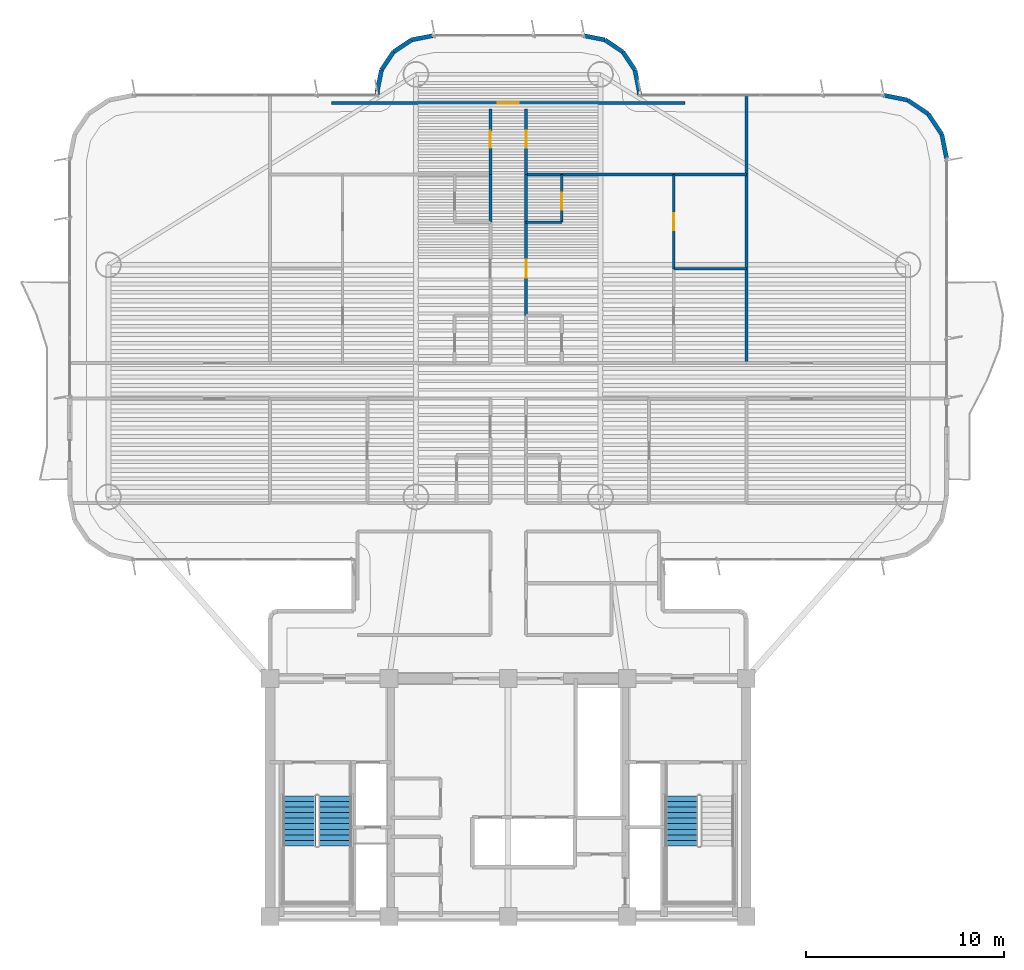
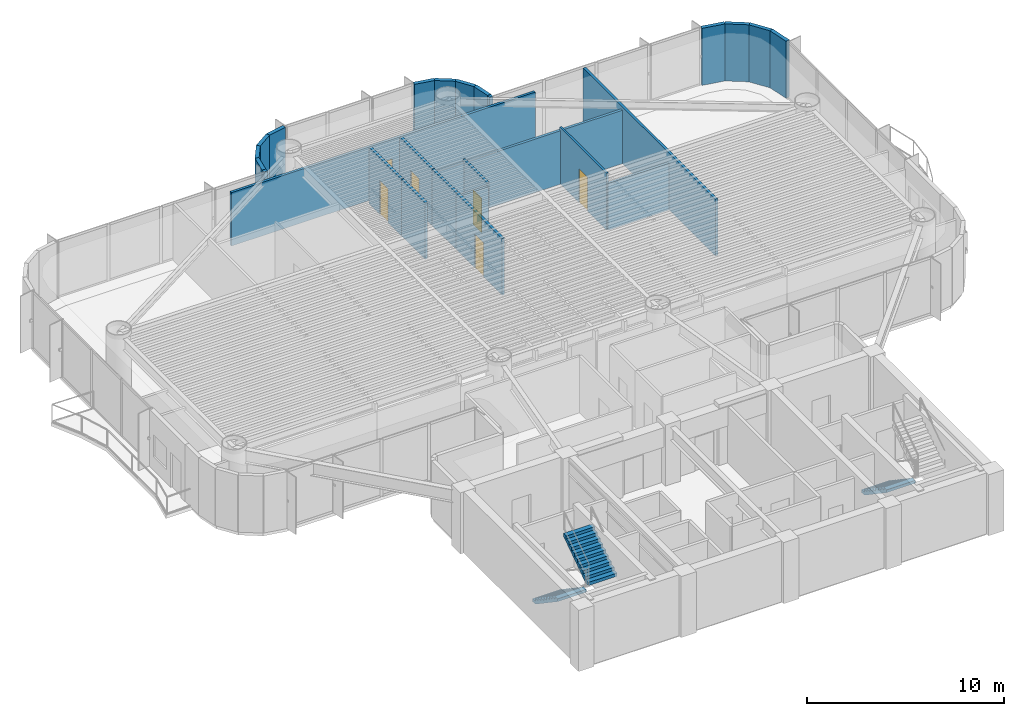
# One storey, part 12 of 17: 26 walls, 6 doors, 3 stair flights, 6 openings, 2 elements without a shape of their own.
"""IFC4 building model written with IfcOpenShell, lengths in metres."""

from ifc_helpers import new_model, si_unit, direction, frame, frame_2d, origin, origin_2d, place, context, subcontext, project, spatial, polyline, rectangle, outline, extrude, source, transform, mapped, material, layer, layer_set, type_object, element, fill, aggregate, save


model = new_model("IFC4")

# Units and contexts
model_context = context("Model", 3, precision=1e-05, world=origin(), true_north=direction((0.0, 1.0)))
body_context = subcontext(model_context, "Body", "Model", "MODEL_VIEW")
ifc_project = project(units=[si_unit("LENGTHUNIT", "METRE"), si_unit("AREAUNIT", "SQUARE_METRE"), si_unit("VOLUMEUNIT", "CUBIC_METRE"), si_unit("PLANEANGLEUNIT", "RADIAN"), si_unit("MASSUNIT", "GRAM", prefix="KILO")], contexts=[model_context])

# Site, building, storey
site_placement = place(None, origin())
site = spatial("IfcSite", under=ifc_project, at=site_placement, CompositionType="ELEMENT")
building_placement = place(site_placement, origin())
building = spatial("IfcBuilding", under=site, at=building_placement, Name="Brelvock Crest Care Tower", CompositionType="ELEMENT")
storey_placement = place(building_placement, frame((0.0, 0.0, 93.60009765625)))
storey = spatial("IfcBuildingStorey", under=building, at=storey_placement, Name="L23", CompositionType="ELEMENT", Elevation=93.60009765625)

# Walls
ifc_material_1 = material(Name="Precast concrete N40 (40 MPa)", Category="concrete")
ifc_layer_1 = layer(ifc_material_1, 0.215087890625, Name="WL-EX2")
ifc_layer_set_1 = layer_set([ifc_layer_1], Name="Precast concrete N40 (40 MPa)")
wall_type_1 = type_object("IfcWallType", Name="WL-EX2", PredefinedType="SOLIDWALL", material=ifc_layer_set_1)
wall_1_placement = place(storey_placement, frame((29.39990234375, 47.39990234375, 0.0), z_axis=(0.0, 0.0, 1.0), x_axis=(0.0, 1.0, 0.0)))
element("IfcWall", 1, at=wall_1_placement, inside=storey, type_object=wall_type_1, Name="L23 Rounded Corner Wall 23", PredefinedType="SOLIDWALL", context=body_context, shape_type="SweptSolid", body=[
    extrude(rectangle(XDim=0.2001953125, YDim=0.215087890625, at=frame_2d((0.10009765625, 0.0))), origin(), (0.0, 0.0, 1.0), 3.52978515625),
])
wall_2_placement = place(storey_placement, frame((29.39990234375, 47.60009765625, 0.0), z_axis=(0.0, 0.0, 1.0), x_axis=(0.195127417394, 0.980777900945, 0.0)))
element("IfcWall", 2, at=wall_2_placement, inside=storey, type_object=wall_type_1, Name="L23 Rounded Corner Wall 24", PredefinedType="SOLIDWALL", context=body_context, shape_type="SweptSolid", body=[
    extrude(rectangle(XDim=1.09228515625, YDim=0.215087890625, at=frame_2d((0.546142578125, 0.0))), origin(), (0.0, 0.0, 1.0), 3.52978515625),
])
wall_3_placement = place(storey_placement, frame((29.613037109375, 48.67138671875, 0.0), z_axis=(0.0, 0.0, 1.0), x_axis=(0.555679482341, 0.831396603857, 0.0)))
element("IfcWall", 3, at=wall_3_placement, inside=storey, type_object=wall_type_1, Name="L23 Rounded Corner Wall 25", PredefinedType="SOLIDWALL", context=body_context, shape_type="SweptSolid", body=[
    extrude(rectangle(XDim=1.0927734375, YDim=0.215087890625, at=frame_2d((0.54638671875, 0.0))), origin(), (0.0, 0.0, 1.0), 3.52978515625),
])
for number, where, z_axis, x_axis, name in (
    (4, (30.22021484375, 49.579833984375, 0.0), (0.0, 0.0, 1.0), (0.831327592857, 0.555782721353, 0.0), "L23 Rounded Corner Wall 26"),
    (5, (31.12841796875, 50.18701171875, 0.0), (0.0, 0.0, 1.0), (0.980829143587, 0.194869677195, 0.0), "L23 Rounded Corner Wall 27"),
    (6, (39.800048828125, 50.39990234375, 0.0), (0.0, 0.0, 1.0), (0.980829143587, -0.194869677195, 0.0), "L23 Rounded Corner Wall 29"),
    (7, (40.87158203125, 50.18701171875, 0.0), (0.0, 0.0, 1.0), (0.831327592857, -0.555782721353, 0.0), "L23 Rounded Corner Wall 30"),
):
    element("IfcWall", number, at=place(storey_placement, frame(where, z_axis=z_axis, x_axis=x_axis)), inside=storey, type_object=wall_type_1, Name=name, PredefinedType="SOLIDWALL", context=body_context, shape_type="SweptSolid", body=[
        extrude(rectangle(XDim=1.092529296875, YDim=0.215087890625, at=frame_2d((0.54638671875, 0.0))), origin(), (0.0, 0.0, 1.0), 3.52978515625),
    ])
wall_4_placement = place(storey_placement, frame((41.77978515625, 49.579833984375, 0.0), z_axis=(0.0, 0.0, 1.0), x_axis=(0.555679482341, -0.831396603857, 0.0)))
element("IfcWall", 8, at=wall_4_placement, inside=storey, type_object=wall_type_1, Name="L23 Rounded Corner Wall 31", PredefinedType="SOLIDWALL", context=body_context, shape_type="SweptSolid", body=[
    extrude(rectangle(XDim=1.0927734375, YDim=0.215087890625, at=frame_2d((0.54638671875, 0.0))), origin(), (0.0, 0.0, 1.0), 3.52978515625),
])
wall_5_placement = place(storey_placement, frame((42.386962890625, 48.67138671875, 0.0), z_axis=(0.0, 0.0, 1.0), x_axis=(0.195127417394, -0.980777900945, 0.0)))
element("IfcWall", 9, at=wall_5_placement, inside=storey, type_object=wall_type_1, Name="L23 Rounded Corner Wall 32", PredefinedType="SOLIDWALL", context=body_context, shape_type="SweptSolid", body=[
    extrude(rectangle(XDim=1.09228515625, YDim=0.215087890625, at=frame_2d((0.546142578125, 0.0))), origin(), (0.0, 0.0, 1.0), 3.52978515625),
])
wall_6_placement = place(storey_placement, frame((42.60009765625, 47.60009765625, 0.0), z_axis=(0.0, 0.0, 1.0), x_axis=(0.0, -1.0, 0.0)))
element("IfcWall", 10, at=wall_6_placement, inside=storey, type_object=wall_type_1, Name="L23 Rounded Corner Wall 33", PredefinedType="SOLIDWALL", context=body_context, shape_type="SweptSolid", body=[
    extrude(rectangle(XDim=0.2001953125, YDim=0.215087890625, at=frame_2d((0.10009765625, 0.0))), origin(), (0.0, 0.0, 1.0), 3.52978515625),
])
for number, where, z_axis, x_axis, name in (
    (11, (54.89990234375, 47.39990234375, 0.0), (0.0, 0.0, 1.0), (0.980813122964, -0.194950295773, 0.0), "L23 Rounded Corner Wall 35"),
    (12, (56.12451171875, 47.156494140625, 0.0), (0.0, 0.0, 1.0), (0.831387912822, -0.555692485475, 0.0), "L23 Rounded Corner Wall 36"),
    (13, (57.16259765625, 46.462646484375, 0.0), (0.0, 0.0, 1.0), (0.555692485475, -0.831387912822, 0.0), "L23 Rounded Corner Wall 37"),
    (14, (57.8564453125, 45.424560546875, 0.0), (0.0, 0.0, 1.0), (0.195138390419, -0.980775717779, 0.0), "L23 Rounded Corner Wall 38"),
):
    element("IfcWall", number, at=place(storey_placement, frame(where, z_axis=z_axis, x_axis=x_axis)), inside=storey, type_object=wall_type_1, Name=name, PredefinedType="SOLIDWALL", context=body_context, shape_type="SweptSolid", body=[
        extrude(rectangle(XDim=1.24853515625, YDim=0.215087890625, at=frame_2d((0.624267578125, 0.0))), origin(), (0.0, 0.0, 1.0), 3.52978515625),
    ])
ifc_material_2 = material(Name="Masonry Blockwork Acoustic Partition", Category="masonry")
ifc_layer_2 = layer(ifc_material_2, 0.14990234375, Name="WL-INT1")
ifc_layer_set_2 = layer_set([ifc_layer_2], Name="Masonry Blockwork Acoustic Partition")
wall_type_2 = type_object("IfcWallType", Name="WL-INT1", PredefinedType="PARTITIONING", material=ifc_layer_set_2)
wall_7_placement = place(storey_placement, frame((36.89990234375, 43.39990234375, 0.0), z_axis=(0.0, 0.0, 1.0), x_axis=(1.0, 0.0, 0.0)))
element("IfcWall", 15, at=wall_7_placement, inside=storey, type_object=wall_type_2, Name="L23 Interior Wall WL-BX-L23-FL-INEI-N", PredefinedType="PARTITIONING", context=body_context, shape_type="SweptSolid", body=[
    extrude(rectangle(XDim=11.10009765625, YDim=0.14990234375, at=frame_2d((5.550048828125, 0.0))), origin(), (0.0, 0.0, 1.0), 3.307861328125),
])

# Wall, opening, door
wall_8_placement = place(storey_placement, frame((27.10009765625, 47.0, 0.0), z_axis=(0.0, 0.0, 1.0), x_axis=(1.0, 0.0, 0.0)))
wall_8 = element("IfcWall", 16, at=wall_8_placement, inside=storey, type_object=wall_type_2, Name="L23 Interior Wall WL-RM-L23-NHUB", PredefinedType="PARTITIONING", context=body_context, shape_type="SweptSolid", body=[
    extrude(rectangle(XDim=17.7998046875, YDim=0.14990234375, at=frame_2d((8.89990234375, 0.0))), origin(), (0.0, 0.0, 1.0), 3.307861328125),
])
opening_1_placement = place(wall_8_placement, frame((8.375, 0.0, 0.0)))
opening_1 = element("IfcOpeningElement", 17, at=opening_1_placement, cuts=wall_8, Name="Opening CLD-1", PredefinedType="OPENING", context=body_context, shape_type="SweptSolid", body=[
    extrude(rectangle(XDim=1.050048828125, YDim=2.10009765625, at=origin_2d()), frame((0.52490234375, 0.0849609375, 1.050048828125), z_axis=(0.0, -1.0, 0.0), x_axis=(1.0, 0.0, 0.0)), (0.0, 0.0, 1.0), 0.169921875),
])
ifc_material_3 = material(Name="Engineered Hardwood Timber", Category="wood")
door_type_1 = type_object("IfcDoorType", Name="DR-CLN1", OperationType="NOTDEFINED", PredefinedType="DOOR", material=ifc_material_3)
shared_shape_1 = source(origin(), body_context, "Body", "SweptSolid", [
    extrude(rectangle(XDim=1.050048828125, YDim=2.10009765625, at=origin_2d()), frame((0.52490234375, 0.02490234375, 1.050048828125), z_axis=(0.0, -1.0, 0.0), x_axis=(1.0, 0.0, 0.0)), (0.0, 0.0, 1.0), 0.050048828125),
])
door_1_placement = place(opening_1_placement, origin())
door_1 = element("IfcDoor", 18, at=door_1_placement, inside=storey, type_object=door_type_1, Name="L23 North Panorama Sunroom Door NHUB", OperationType="SINGLE_SWING_LEFT", OverallHeight=2.10009765625, OverallWidth=1.050048828125, PredefinedType="DOOR", context=body_context, shape_type="MappedRepresentation", body=[
    mapped(shared_shape_1, transform((0.0, 0.0, 0.0), x_axis=(1.0, 0.0, 0.0), y_axis=(0.0, 1.0, 0.0), z_axis=(0.0, 0.0, 1.0), scale=1.0)),
])
fill(opening_1, door_1)

# Wall
wall_9_placement = place(storey_placement, frame((35.10009765625, 41.0, 0.0), z_axis=(0.0, 0.0, 1.0), x_axis=(0.0, 1.0, 0.0)))
element("IfcWall", 19, at=wall_9_placement, inside=storey, type_object=wall_type_2, Name="L23 Interior Wall WL-UCK-L23-INWI", PredefinedType="PARTITIONING", context=body_context, shape_type="SweptSolid", body=[
    extrude(rectangle(XDim=2.39990234375, YDim=0.14990234375, at=frame_2d((1.199951171875, 0.0))), origin(), (0.0, 0.0, 1.0), 3.5),
])

# Wall, opening, door
wall_10_placement = place(storey_placement, frame((35.10009765625, 43.39990234375, 0.0), z_axis=(0.0, 0.0, 1.0), x_axis=(0.0, 1.0, 0.0)))
wall_10 = element("IfcWall", 20, at=wall_10_placement, inside=storey, type_object=wall_type_2, Name="L23 Interior Wall WL-RM-L23-INWN", PredefinedType="PARTITIONING", context=body_context, shape_type="SweptSolid", body=[
    extrude(rectangle(XDim=3.300048828125, YDim=0.14990234375, at=frame_2d((1.64990234375, 0.0))), origin(), (0.0, 0.0, 1.0), 3.5),
])
opening_2_placement = place(wall_10_placement, frame((1.340087890625, 0.0, 0.0)))
opening_2 = element("IfcOpeningElement", 21, at=opening_2_placement, cuts=wall_10, Name="Opening ID-1", PredefinedType="OPENING", context=body_context, shape_type="SweptSolid", body=[
    extrude(rectangle(XDim=0.860107421875, YDim=2.10009765625, at=origin_2d()), frame((0.43017578125, 0.0849609375, 1.050048828125), z_axis=(0.0, -1.0, 0.0), x_axis=(1.0, 0.0, 0.0)), (0.0, 0.0, 1.0), 0.169921875),
])
door_type_2 = type_object("IfcDoorType", Name="DR-INT1", OperationType="NOTDEFINED", PredefinedType="DOOR", material=ifc_material_3)
shared_shape_2 = source(origin(), body_context, "Body", "SweptSolid", [
    extrude(rectangle(XDim=0.860107421875, YDim=2.10009765625, at=origin_2d()), frame((0.43017578125, 0.02490234375, 1.050048828125), z_axis=(0.0, -1.0, 0.0), x_axis=(1.0, 0.0, 0.0)), (0.0, 0.0, 1.0), 0.050048828125),
])
door_2_placement = place(opening_2_placement, origin())
door_2 = element("IfcDoor", 22, at=door_2_placement, inside=storey, type_object=door_type_2, Name="L23 Harbour Reading Alcove Door INWN", OperationType="SINGLE_SWING_LEFT", OverallHeight=2.10009765625, OverallWidth=0.860107421875, PredefinedType="DOOR", context=body_context, shape_type="MappedRepresentation", body=[
    mapped(shared_shape_2, transform((0.0, 0.0, 0.0), x_axis=(1.0, 0.0, 0.0), y_axis=(0.0, 1.0, 0.0), z_axis=(0.0, 0.0, 1.0), scale=1.0)),
])
fill(opening_2, door_2)

wall_11_placement = place(storey_placement, frame((36.89990234375, 36.300048828125, 0.0), z_axis=(0.0, 0.0, 1.0), x_axis=(0.0, 1.0, 0.0)))
wall_11 = element("IfcWall", 23, at=wall_11_placement, inside=storey, type_object=wall_type_2, Name="L23 Interior Wall WL-UENT-L23-INEI", PredefinedType="PARTITIONING", context=body_context, shape_type="SweptSolid", body=[
    extrude(rectangle(XDim=4.699951171875, YDim=0.14990234375, at=frame_2d((2.35009765625, 0.0))), origin(), (0.0, 0.0, 1.0), 3.5),
])
opening_3_placement = place(wall_11_placement, frame((1.889892578125, 0.0, 0.0)))
opening_3 = element("IfcOpeningElement", 24, at=opening_3_placement, cuts=wall_11, Name="Opening AD-1", PredefinedType="OPENING", context=body_context, shape_type="SweptSolid", body=[
    extrude(rectangle(XDim=0.919921875, YDim=2.10009765625, at=origin_2d()), frame((0.4599609375, 0.0849609375, 1.050048828125), z_axis=(0.0, -1.0, 0.0), x_axis=(1.0, 0.0, 0.0)), (0.0, 0.0, 1.0), 0.169921875),
])
door_type_3 = type_object("IfcDoorType", Name="DR-APT1", OperationType="NOTDEFINED", PredefinedType="DOOR", material=ifc_material_3)
shared_shape_3 = source(origin(), body_context, "Body", "SweptSolid", [
    extrude(rectangle(XDim=0.919921875, YDim=2.10009765625, at=origin_2d()), frame((0.4599609375, 0.02490234375, 1.050048828125), z_axis=(0.0, -1.0, 0.0), x_axis=(1.0, 0.0, 0.0)), (0.0, 0.0, 1.0), 0.050048828125),
])
door_3_placement = place(opening_3_placement, origin())
door_3 = element("IfcDoor", 25, at=door_3_placement, inside=storey, type_object=door_type_3, Name="L23 Apartment Entrance INEI", OperationType="SINGLE_SWING_LEFT", OverallHeight=2.10009765625, OverallWidth=0.919921875, PredefinedType="DOOR", context=body_context, shape_type="MappedRepresentation", body=[
    mapped(shared_shape_3, transform((0.0, 0.0, 0.0), x_axis=(1.0, 0.0, 0.0), y_axis=(0.0, 1.0, 0.0), z_axis=(0.0, 0.0, 1.0), scale=1.0)),
])
fill(opening_3, door_3)

# Wall
wall_12_placement = place(storey_placement, frame((36.89990234375, 41.0, 0.0), z_axis=(0.0, 0.0, 1.0), x_axis=(0.0, 1.0, 0.0)))
element("IfcWall", 26, at=wall_12_placement, inside=storey, type_object=wall_type_2, Name="L23 Interior Wall WL-UCK-L23-INEI", PredefinedType="PARTITIONING", context=body_context, shape_type="SweptSolid", body=[
    extrude(rectangle(XDim=2.39990234375, YDim=0.14990234375, at=frame_2d((1.199951171875, 0.0))), origin(), (0.0, 0.0, 1.0), 3.5),
])

# Wall, opening, door
wall_13_placement = place(storey_placement, frame((36.89990234375, 43.39990234375, 0.0), z_axis=(0.0, 0.0, 1.0), x_axis=(0.0, 1.0, 0.0)))
wall_13 = element("IfcWall", 27, at=wall_13_placement, inside=storey, type_object=wall_type_2, Name="L23 Interior Wall WL-RM-L23-INEN", PredefinedType="PARTITIONING", context=body_context, shape_type="SweptSolid", body=[
    extrude(rectangle(XDim=3.300048828125, YDim=0.14990234375, at=frame_2d((1.64990234375, 0.0))), origin(), (0.0, 0.0, 1.0), 3.5),
])
opening_4_placement = place(wall_13_placement, frame((1.340087890625, 0.0, 0.0)))
opening_4 = element("IfcOpeningElement", 28, at=opening_4_placement, cuts=wall_13, Name="Opening ID-1", PredefinedType="OPENING", context=body_context, shape_type="SweptSolid", body=[
    extrude(rectangle(XDim=0.860107421875, YDim=2.10009765625, at=origin_2d()), frame((0.43017578125, 0.0849609375, 1.050048828125), z_axis=(0.0, -1.0, 0.0), x_axis=(1.0, 0.0, 0.0)), (0.0, 0.0, 1.0), 0.169921875),
])
door_4_placement = place(opening_4_placement, origin())
door_4 = element("IfcDoor", 29, at=door_4_placement, inside=storey, type_object=door_type_2, Name="L23 Botanical Tea Alcove Door INEN", OperationType="SINGLE_SWING_LEFT", OverallHeight=2.10009765625, OverallWidth=0.860107421875, PredefinedType="DOOR", context=body_context, shape_type="MappedRepresentation", body=[
    mapped(shared_shape_2, transform((0.0, 0.0, 0.0), x_axis=(1.0, 0.0, 0.0), y_axis=(0.0, 1.0, 0.0), z_axis=(0.0, 0.0, 1.0), scale=1.0)),
])
fill(opening_4, door_4)

# Walls
wall_14_placement = place(storey_placement, frame((48.0, 33.89990234375, 0.0), z_axis=(0.0, 0.0, 1.0), x_axis=(0.0, 1.0, 0.0)))
element("IfcWall", 30, at=wall_14_placement, inside=storey, type_object=wall_type_2, Name="L23 Interior Wall WL-BX-L23-INEO-W", PredefinedType="PARTITIONING", context=body_context, shape_type="SweptSolid", body=[
    extrude(rectangle(XDim=13.4208984375, YDim=0.14990234375, at=frame_2d((6.71044921875, 0.0))), origin(), (0.0, 0.0, 1.0), 3.5),
])
ifc_material_4 = material(Name="Gypsum Plasterboard Partition", Category="gypsum")
ifc_layer_3 = layer(ifc_material_4, 0.1201171875, Name="WL-INT2")
ifc_layer_set_3 = layer_set([ifc_layer_3], Name="Gypsum Plasterboard Partition")
wall_type_3 = type_object("IfcWallType", Name="WL-INT2", PredefinedType="PARTITIONING", material=ifc_layer_set_3)
wall_15_placement = place(storey_placement, frame((44.35009765625, 38.64990234375, 0.0), z_axis=(0.0, 0.0, 1.0), x_axis=(1.0, 0.0, 0.0)))
element("IfcWall", 31, at=wall_15_placement, inside=storey, type_object=wall_type_3, Name="L23 Interior Wall WL-UBSP-L23-INEI", PredefinedType="PARTITIONING", context=body_context, shape_type="SweptSolid", body=[
    extrude(rectangle(XDim=3.64990234375, YDim=0.1201171875, at=frame_2d((1.824951171875, 0.0))), origin(), (0.0, 0.0, 1.0), 2.90283203125),
])
wall_16_placement = place(storey_placement, frame((36.89990234375, 41.0, 0.0), z_axis=(0.0, 0.0, 1.0), x_axis=(1.0, 0.0, 0.0)))
element("IfcWall", 32, at=wall_16_placement, inside=storey, type_object=wall_type_3, Name="L23 Interior Wall WL-UKIT2-L23-INEI", PredefinedType="PARTITIONING", context=body_context, shape_type="SweptSolid", body=[
    extrude(rectangle(XDim=1.800048828125, YDim=0.1201171875, at=frame_2d((0.89990234375, 0.0))), origin(), (0.0, 0.0, 1.0), 3.2587890625),
])

# Wall, opening, door
wall_17_placement = place(storey_placement, frame((38.699951171875, 41.0, 0.0), z_axis=(0.0, 0.0, 1.0), x_axis=(0.0, 1.0, 0.0)))
wall_17 = element("IfcWall", 33, at=wall_17_placement, inside=storey, type_object=wall_type_3, Name="L23 Interior Wall WL-UKIT1-L23-INEI", PredefinedType="PARTITIONING", context=body_context, shape_type="SweptSolid", body=[
    extrude(rectangle(XDim=2.39990234375, YDim=0.1201171875, at=frame_2d((1.199951171875, 0.0))), origin(), (0.0, 0.0, 1.0), 3.5),
])
opening_5_placement = place(wall_17_placement, frame((0.6201171875, 0.0, 0.0)))
opening_5 = element("IfcOpeningElement", 34, at=opening_5_placement, cuts=wall_17, Name="Opening ID-1", PredefinedType="OPENING", context=body_context, shape_type="SweptSolid", body=[
    extrude(rectangle(XDim=0.860107421875, YDim=2.10009765625, at=origin_2d()), frame((0.43017578125, 0.070068359375, 1.050048828125), z_axis=(0.0, -1.0, 0.0), x_axis=(1.0, 0.0, 0.0)), (0.0, 0.0, 1.0), 0.14013671875),
])
door_5_placement = place(opening_5_placement, origin())
door_5 = element("IfcDoor", 35, at=door_5_placement, inside=storey, type_object=door_type_2, Name="L23 Kitchen Door INEI", OperationType="SINGLE_SWING_RIGHT", OverallHeight=2.10009765625, OverallWidth=0.860107421875, PredefinedType="DOOR", context=body_context, shape_type="MappedRepresentation", body=[
    mapped(shared_shape_2, transform((0.0, 0.0, 0.0), x_axis=(1.0, 0.0, 0.0), y_axis=(0.0, 1.0, 0.0), z_axis=(0.0, 0.0, 1.0), scale=1.0)),
])
fill(opening_5, door_5)

wall_18_placement = place(storey_placement, frame((44.35009765625, 38.64990234375, 0.0), z_axis=(0.0, 0.0, 1.0), x_axis=(0.0, 1.0, 0.0)))
wall_18 = element("IfcWall", 36, at=wall_18_placement, inside=storey, type_object=wall_type_3, Name="L23 Interior Wall WL-UBD2-L23-INEI", PredefinedType="PARTITIONING", context=body_context, shape_type="SweptSolid", body=[
    extrude(rectangle(XDim=4.75, YDim=0.1201171875, at=frame_2d((2.375, 0.0))), origin(), (0.0, 0.0, 1.0), 3.5),
])
opening_6_placement = place(wall_18_placement, frame((1.945068359375, 0.0, 0.0)))
opening_6 = element("IfcOpeningElement", 37, at=opening_6_placement, cuts=wall_18, Name="Opening ID-1", PredefinedType="OPENING", context=body_context, shape_type="SweptSolid", body=[
    extrude(rectangle(XDim=0.860107421875, YDim=2.10009765625, at=origin_2d()), frame((0.43017578125, 0.070068359375, 1.050048828125), z_axis=(0.0, -1.0, 0.0), x_axis=(1.0, 0.0, 0.0)), (0.0, 0.0, 1.0), 0.14013671875),
])
door_6_placement = place(opening_6_placement, origin())
door_6 = element("IfcDoor", 38, at=door_6_placement, inside=storey, type_object=door_type_2, Name="L23 Second Room Door INEI", OperationType="SINGLE_SWING_LEFT", OverallHeight=2.10009765625, OverallWidth=0.860107421875, PredefinedType="DOOR", context=body_context, shape_type="MappedRepresentation", body=[
    mapped(shared_shape_2, transform((0.0, 0.0, 0.0), x_axis=(1.0, 0.0, 0.0), y_axis=(0.0, 1.0, 0.0), z_axis=(0.0, 0.0, 1.0), scale=1.0)),
])
fill(opening_6, door_6)

# Stair, stair flights
ifc_material_5 = material(Name="Concrete N40 (40 MPa)", Category="concrete")
stair_type = type_object("IfcStairType", Name="ST-CORE1", PredefinedType="HALF_TURN_STAIR", material=ifc_material_5)
stair_1_placement = place(storey_placement, origin())
stair_1 = element("IfcStair", 39, at=stair_1_placement, inside=storey, type_object=stair_type, Name="L23 Fire-Isolated Core Stair ST-1", PredefinedType="HALF_TURN_STAIR")
stair_flight_type = type_object("IfcStairFlightType", Name="STF-1", PredefinedType="STRAIGHT", material=ifc_material_5)
stair_flight_1_placement = place(storey_placement, frame((25.469970703125, 12.080078125, 0.0), z_axis=(0.0, 0.0, 1.0), x_axis=(0.0, -1.0, 0.0)))
stair_flight_1 = element("IfcStairFlight", 40, at=stair_flight_1_placement, type_object=stair_flight_type, Name="ST-1 flight 1", NumberOfRisers=10, NumberOfTreads=9, PredefinedType="STRAIGHT", RiserHeight=0.189, TreadLength=0.28, context=body_context, shape_type="SweptSolid", body=[
    extrude(outline(polyline([(-0.00390625, -0.014892578125), (-0.00390625, -0.0078125), (-0.00390625, -0.00048828125), (-0.00390625, 0.0068359375), (-0.00390625, 0.01416015625), (-0.00390625, 0.021484375), (-0.00390625, 0.02880859375), (-0.00390625, 0.035888671875), (-0.00390625, 0.043212890625), (-0.00390625, 0.050537109375), (-0.00390625, 0.057861328125), (-0.00390625, 0.065185546875), (-0.00390625, 0.072509765625), (-0.00390625, 0.07958984375), (-0.00390625, 0.0869140625), (-0.00390625, 0.09423828125), (-0.00390625, 0.1015625), (-0.00390625, 0.10888671875), (-0.00390625, 0.1162109375), (-0.00390625, 0.12353515625), (-0.00390625, 0.130615234375), (-0.00390625, 0.137939453125), (-0.00390625, 0.145263671875), (-0.00390625, 0.152587890625), (-0.00390625, 0.159912109375), (-0.00390625, 0.167236328125), (-0.00390625, 0.17431640625), (-0.00390625, 0.181640625), (-0.00390625, 0.18896484375), (0.0, 0.18896484375), (0.280029296875, 0.18896484375), (0.280029296875, 0.3779296875), (0.56005859375, 0.3779296875), (0.56005859375, 0.56689453125), (0.840087890625, 0.56689453125), (0.840087890625, 0.756103515625), (1.1201171875, 0.756103515625), (1.1201171875, 0.945068359375), (1.39990234375, 0.945068359375), (1.39990234375, 1.134033203125), (1.679931640625, 1.134033203125), (1.679931640625, 1.322998046875), (1.9599609375, 1.322998046875), (1.9599609375, 1.511962890625), (2.239990234375, 1.511962890625), (2.239990234375, 1.700927734375), (2.52001953125, 1.700927734375), (2.52392578125, 1.700927734375), (2.523681640625, 1.70068359375), (2.52392578125, 1.700439453125), (2.523681640625, 1.699951171875), (2.52392578125, 1.69970703125), (2.523681640625, 1.699462890625), (2.52392578125, 1.698974609375), (2.523681640625, 1.69873046875), (2.52392578125, 1.698486328125), (2.523681640625, 1.697998046875), (2.52392578125, 1.69775390625), (2.523681640625, 1.697509765625), (2.52392578125, 1.697021484375), (2.523681640625, 1.69677734375), (2.52392578125, 1.696533203125), (2.523681640625, 1.6962890625), (2.52392578125, 1.69580078125), (2.523681640625, 1.695556640625), (2.52392578125, 1.6953125), (2.523681640625, 1.69482421875), (2.52392578125, 1.694580078125), (2.523681640625, 1.6943359375), (2.52392578125, 1.69384765625), (2.523681640625, 1.693603515625), (2.52392578125, 1.693359375), (2.523681640625, 1.69287109375), (2.52392578125, 1.692626953125), (2.523681640625, 1.6923828125), (2.52392578125, 1.69189453125), (2.52001953125, 1.520263671875), (0.267822265625, 0.0), (0.0, 0.0), (0.0, -0.014892578125), (-0.00390625, -0.014892578125)])), frame((0.0, 0.83984375, 0.0), z_axis=(0.0, -1.0, 0.0), x_axis=(1.0, 0.0, 0.0)), (0.0, 0.0, 1.0), 1.679931640625),
])
stair_flight_2_placement = place(storey_placement, frame((27.27001953125, 9.56005859375, 1.889892578125), z_axis=(0.0, 0.0, 1.0), x_axis=(0.0, 1.0, 0.0)))
stair_flight_2 = element("IfcStairFlight", 41, at=stair_flight_2_placement, type_object=stair_flight_type, Name="ST-1 flight 2", NumberOfRisers=10, NumberOfTreads=9, PredefinedType="STRAIGHT", RiserHeight=0.189, TreadLength=0.28, context=body_context, shape_type="SweptSolid", body=[
    extrude(outline(polyline([(-0.00390625, -0.014892578125), (-0.00390625, -0.0078125), (-0.00390625, -0.00048828125), (-0.00390625, 0.0068359375), (-0.00390625, 0.01416015625), (-0.00390625, 0.021484375), (-0.00390625, 0.02880859375), (-0.00390625, 0.035888671875), (-0.00390625, 0.043212890625), (-0.00390625, 0.050537109375), (-0.00390625, 0.057861328125), (-0.00390625, 0.065185546875), (-0.00390625, 0.072509765625), (-0.00390625, 0.07958984375), (-0.00390625, 0.0869140625), (-0.00390625, 0.09423828125), (-0.00390625, 0.1015625), (-0.00390625, 0.10888671875), (-0.00390625, 0.1162109375), (-0.00390625, 0.12353515625), (-0.00390625, 0.130615234375), (-0.00390625, 0.137939453125), (-0.00390625, 0.145263671875), (-0.00390625, 0.152587890625), (-0.00390625, 0.159912109375), (-0.00390625, 0.167236328125), (-0.00390625, 0.17431640625), (-0.00390625, 0.181640625), (-0.00390625, 0.18896484375), (0.0, 0.18896484375), (0.280029296875, 0.18896484375), (0.280029296875, 0.3779296875), (0.56005859375, 0.3779296875), (0.56005859375, 0.56689453125), (0.840087890625, 0.56689453125), (0.840087890625, 0.756103515625), (1.1201171875, 0.756103515625), (1.1201171875, 0.945068359375), (1.39990234375, 0.945068359375), (1.39990234375, 1.134033203125), (1.679931640625, 1.134033203125), (1.679931640625, 1.322998046875), (1.9599609375, 1.322998046875), (1.9599609375, 1.511962890625), (2.239990234375, 1.511962890625), (2.239990234375, 1.700927734375), (2.52001953125, 1.700927734375), (2.52392578125, 1.700927734375), (2.523681640625, 1.70068359375), (2.52392578125, 1.700439453125), (2.523681640625, 1.699951171875), (2.52392578125, 1.69970703125), (2.523681640625, 1.699462890625), (2.52392578125, 1.698974609375), (2.523681640625, 1.69873046875), (2.52392578125, 1.698486328125), (2.523681640625, 1.697998046875), (2.52392578125, 1.69775390625), (2.523681640625, 1.697509765625), (2.52392578125, 1.697021484375), (2.523681640625, 1.69677734375), (2.52392578125, 1.696533203125), (2.523681640625, 1.6962890625), (2.52392578125, 1.69580078125), (2.523681640625, 1.695556640625), (2.52392578125, 1.6953125), (2.523681640625, 1.69482421875), (2.52392578125, 1.694580078125), (2.523681640625, 1.6943359375), (2.52392578125, 1.69384765625), (2.523681640625, 1.693603515625), (2.52392578125, 1.693359375), (2.523681640625, 1.69287109375), (2.52392578125, 1.692626953125), (2.523681640625, 1.6923828125), (2.52392578125, 1.69189453125), (2.52001953125, 1.520263671875), (0.267822265625, 0.0), (0.0, 0.0), (0.0, -0.014892578125), (-0.00390625, -0.014892578125)])), frame((0.0, 0.83984375, 0.0), z_axis=(0.0, -1.0, 0.0), x_axis=(1.0, 0.0, 0.0)), (0.0, 0.0, 1.0), 1.679931640625),
])
aggregate(stair_1, [stair_flight_1, stair_flight_2])

# Stair, stair flight
stair_2_placement = place(storey_placement, origin())
stair_2 = element("IfcStair", 42, at=stair_2_placement, inside=storey, type_object=stair_type, Name="L23 Fire-Isolated Core Stair ST-2", PredefinedType="HALF_TURN_STAIR")
stair_flight_3_placement = place(storey_placement, frame((44.72998046875, 12.080078125, 0.0), z_axis=(0.0, 0.0, 1.0), x_axis=(0.0, -1.0, 0.0)))
stair_flight_3 = element("IfcStairFlight", 43, at=stair_flight_3_placement, type_object=stair_flight_type, Name="ST-2 flight 1", NumberOfRisers=10, NumberOfTreads=9, PredefinedType="STRAIGHT", RiserHeight=0.189, TreadLength=0.28, context=body_context, shape_type="SweptSolid", body=[
    extrude(outline(polyline([(-0.00390625, -0.014892578125), (-0.00390625, -0.0078125), (-0.00390625, -0.00048828125), (-0.00390625, 0.0068359375), (-0.00390625, 0.01416015625), (-0.00390625, 0.021484375), (-0.00390625, 0.02880859375), (-0.00390625, 0.035888671875), (-0.00390625, 0.043212890625), (-0.00390625, 0.050537109375), (-0.00390625, 0.057861328125), (-0.00390625, 0.065185546875), (-0.00390625, 0.072509765625), (-0.00390625, 0.07958984375), (-0.00390625, 0.0869140625), (-0.00390625, 0.09423828125), (-0.00390625, 0.1015625), (-0.00390625, 0.10888671875), (-0.00390625, 0.1162109375), (-0.00390625, 0.12353515625), (-0.00390625, 0.130615234375), (-0.00390625, 0.137939453125), (-0.00390625, 0.145263671875), (-0.00390625, 0.152587890625), (-0.00390625, 0.159912109375), (-0.00390625, 0.167236328125), (-0.00390625, 0.17431640625), (-0.00390625, 0.181640625), (-0.00390625, 0.18896484375), (0.0, 0.18896484375), (0.280029296875, 0.18896484375), (0.280029296875, 0.3779296875), (0.56005859375, 0.3779296875), (0.56005859375, 0.56689453125), (0.840087890625, 0.56689453125), (0.840087890625, 0.756103515625), (1.1201171875, 0.756103515625), (1.1201171875, 0.945068359375), (1.39990234375, 0.945068359375), (1.39990234375, 1.134033203125), (1.679931640625, 1.134033203125), (1.679931640625, 1.322998046875), (1.9599609375, 1.322998046875), (1.9599609375, 1.511962890625), (2.239990234375, 1.511962890625), (2.239990234375, 1.700927734375), (2.52001953125, 1.700927734375), (2.52392578125, 1.700927734375), (2.523681640625, 1.70068359375), (2.52392578125, 1.700439453125), (2.523681640625, 1.699951171875), (2.52392578125, 1.69970703125), (2.523681640625, 1.699462890625), (2.52392578125, 1.698974609375), (2.523681640625, 1.69873046875), (2.52392578125, 1.698486328125), (2.523681640625, 1.697998046875), (2.52392578125, 1.69775390625), (2.523681640625, 1.697509765625), (2.52392578125, 1.697021484375), (2.523681640625, 1.69677734375), (2.52392578125, 1.696533203125), (2.523681640625, 1.6962890625), (2.52392578125, 1.69580078125), (2.523681640625, 1.695556640625), (2.52392578125, 1.6953125), (2.523681640625, 1.69482421875), (2.52392578125, 1.694580078125), (2.523681640625, 1.6943359375), (2.52392578125, 1.69384765625), (2.523681640625, 1.693603515625), (2.52392578125, 1.693359375), (2.523681640625, 1.69287109375), (2.52392578125, 1.692626953125), (2.523681640625, 1.6923828125), (2.52392578125, 1.69189453125), (2.52001953125, 1.520263671875), (0.267822265625, 0.0), (0.0, 0.0), (0.0, -0.014892578125), (-0.00390625, -0.014892578125)])), frame((0.0, 0.83984375, 0.0), z_axis=(0.0, -1.0, 0.0), x_axis=(1.0, 0.0, 0.0)), (0.0, 0.0, 1.0), 1.679931640625),
])
aggregate(stair_2, [stair_flight_3])

save(model, "model.ifc")
